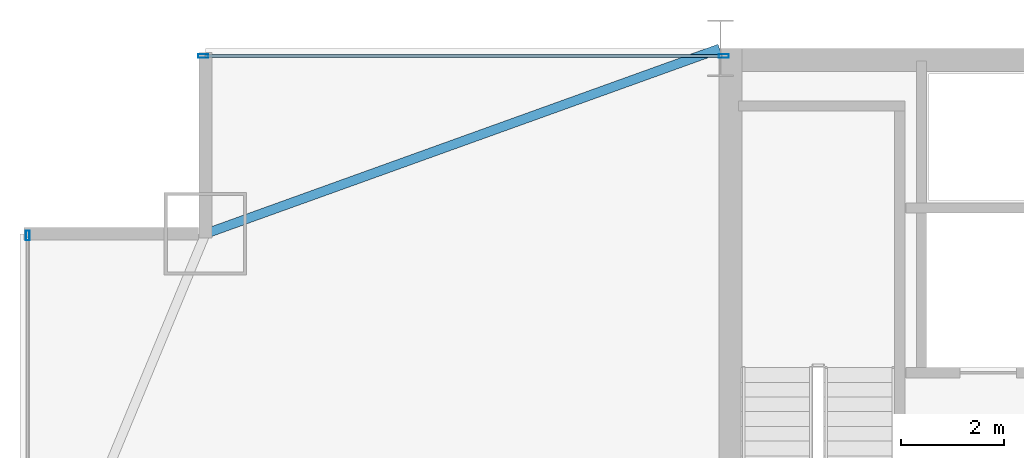
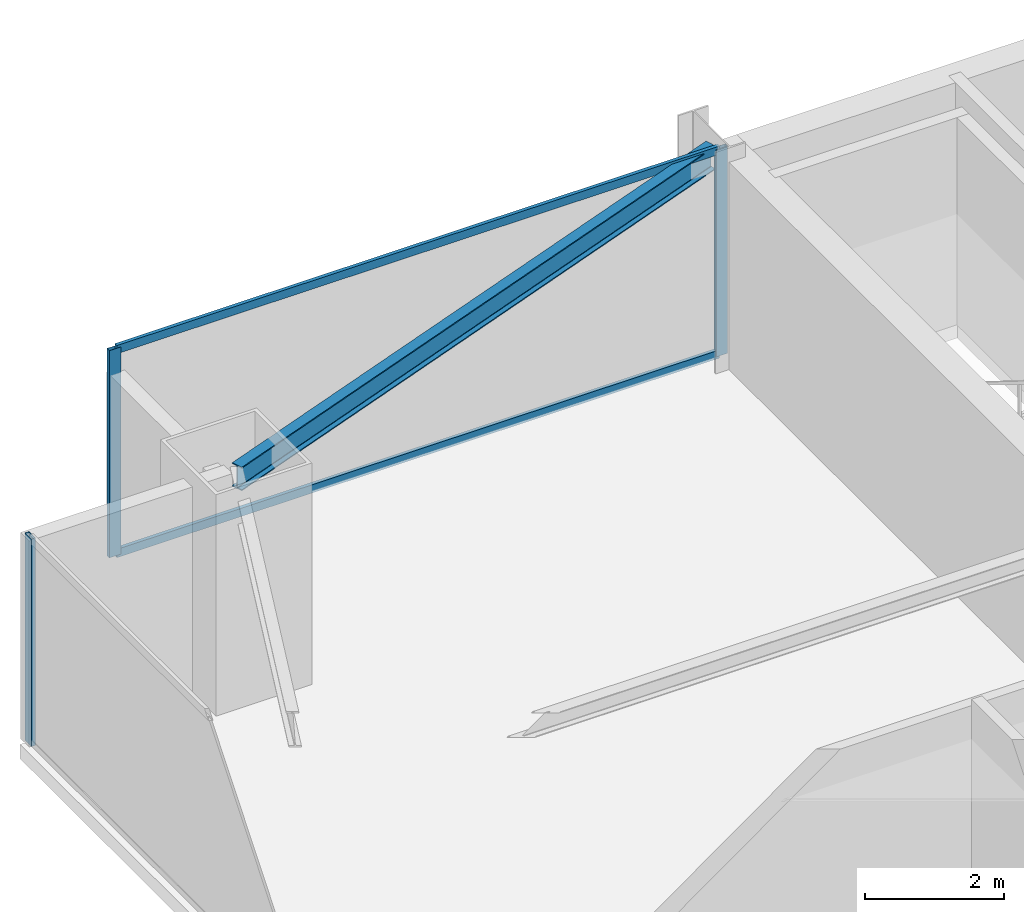
# One storey, part 21 of 32: 5 members, 1 beam, 2 elements without a shape of their own.
"""IFC4 building model written with IfcOpenShell, lengths in metres."""

from ifc_helpers import new_model, si_unit, direction, frame, origin, origin_2d, place, context, subcontext, project, spatial, hollow_rectangle, i_section, extrude, source, transform, mapped, material, layer, layer_set, material_profile, profile_set, type_object, type_shapes, element, aggregate, save


model = new_model("IFC4")

# Units and contexts
model_context = context("Model", 3, precision=1e-05, world=origin(), true_north=direction((0.0, 1.0)))
body_context = subcontext(model_context, "Body", "Model", "MODEL_VIEW")
ifc_project = project(units=[si_unit("LENGTHUNIT", "METRE"), si_unit("AREAUNIT", "SQUARE_METRE"), si_unit("VOLUMEUNIT", "CUBIC_METRE"), si_unit("PLANEANGLEUNIT", "RADIAN"), si_unit("MASSUNIT", "GRAM", prefix="KILO")], contexts=[model_context])

# Site, building, storey
site_placement = place(None, origin())
site = spatial("IfcSite", under=ifc_project, at=site_placement, CompositionType="ELEMENT")
building_placement = place(site_placement, origin())
building = spatial("IfcBuilding", under=site, at=building_placement, Name="Varnel Quay Broadcast Tower", CompositionType="ELEMENT")
storey_placement = place(building_placement, frame((0.0, 0.0, 58.800048828125)))
storey = spatial("IfcBuildingStorey", under=building, at=storey_placement, Name="L13", CompositionType="ELEMENT", Elevation=58.800048828125)

# Beam
ifc_material_1 = material(Name="Structural Steel CSA G40.21 350W", Category="steel")
ifc_material_profile_1 = material_profile(ifc_material_1, i_section(OverallWidth=0.180908203125, OverallDepth=0.4169921875, WebThickness=0.010986328125, FlangeThickness=0.018310546875, FilletRadius=0.011962890625, at=origin_2d()), Name="W410X85")
ifc_profile_set_1 = profile_set([ifc_material_profile_1], Name="Structural Steel CSA G40.21 350W")
beam_type = type_object("IfcBeamType", Name="Beam_W410X85", PredefinedType="SPANDREL", material=ifc_profile_set_1)
shared_shape_1 = source(origin(), body_context, "Body", "SweptSolid", [
    extrude(i_section(OverallWidth=0.180908203125, OverallDepth=0.4169921875, WebThickness=0.010986328125, FlangeThickness=0.018310546875, FilletRadius=0.011962890625, at=origin_2d()), origin(), (0.0, 0.0, 1.0), 10.58837890625),
])
type_shapes(beam_type, [shared_shape_1])
beam_placement = place(storey_placement, frame((5.618896484375, 43.206787109375, 3.44140625), z_axis=(0.940888587605, 0.338716202321, 0.0), x_axis=(-0.338716202321, 0.940888587605, 0.0)))
element("IfcBeam", 1, at=beam_placement, inside=storey, type_object=beam_type, Name="L13 NW Tie Spandrel", PredefinedType="SPANDREL", context=body_context, shape_type="MappedRepresentation", body=[
    mapped(shared_shape_1, transform((0.0, 0.0, 0.0), x_axis=(1.0, 0.0, 0.0), y_axis=(0.0, 1.0, 0.0), z_axis=(0.0, 0.0, 1.0), scale=1.0)),
])

# Curtain wall, member
ifc_material_2 = material(Name="Anodised Bronze Aluminium 6063-T6", Category="aluminium")
ifc_layer = layer(ifc_material_2, 0.18994140625, Name="Anodised Bronze Aluminium 6063-T6")
ifc_layer_set = layer_set([ifc_layer], Name="Anodised Bronze Aluminium 6063-T6")
curtain_wall_type = type_object("IfcCurtainWallType", Name="CW_LowerTower", PredefinedType="NOTDEFINED", material=ifc_layer_set)
curtain_wall_1_placement = place(storey_placement, origin())
curtain_wall_1 = element("IfcCurtainWall", 2, at=curtain_wall_1_placement, inside=storey, type_object=curtain_wall_type, Name="L13 West Unitised Curtain Wall", PredefinedType="NOTDEFINED")
ifc_material_profile_2 = material_profile(ifc_material_2, hollow_rectangle(XDim=0.070068359375, YDim=0.18994140625, WallThickness=0.00390625, at=origin_2d()), Name="ALU70X190X4")
ifc_profile_set_2 = profile_set([ifc_material_profile_2], Name="Anodised Bronze Aluminium 6063-T6")
member_type_1 = type_object("IfcMemberType", Name="Mull_CWS-02", PredefinedType="MULLION", material=ifc_profile_set_2)
shared_shape_2 = source(origin(), body_context, "Body", "SweptSolid", [
    extrude(hollow_rectangle(XDim=0.070068359375, YDim=0.18994140625, WallThickness=0.00390625, at=origin_2d()), origin(), (0.0, 0.0, 1.0), 3.64990234375),
])
type_shapes(member_type_1, [shared_shape_2])
member_1_placement = place(storey_placement, frame((2.14990234375, 43.1650390625, 0.0), z_axis=(0.0, 0.0, 1.0), x_axis=(-1.0, 0.0, 0.0)))
member_1 = element("IfcMember", 3, at=member_1_placement, type_object=member_type_1, Name="CWS-02 mullion 4", PredefinedType="MULLION", context=body_context, shape_type="MappedRepresentation", body=[
    mapped(shared_shape_2, transform((0.0, 0.0, 0.0), x_axis=(1.0, 0.0, 0.0), y_axis=(0.0, 1.0, 0.0), z_axis=(0.0, 0.0, 1.0), scale=1.0)),
])
aggregate(curtain_wall_1, [member_1])

# Curtain wall, members
curtain_wall_2_placement = place(storey_placement, origin())
curtain_wall_2 = element("IfcCurtainWall", 4, at=curtain_wall_2_placement, inside=storey, type_object=curtain_wall_type, Name="L13 NW Wing Curtain Wall", PredefinedType="NOTDEFINED")
member_2_placement = place(storey_placement, frame((5.554931640625, 46.64990234375, 0.0), z_axis=(0.0, 0.0, 1.0), x_axis=(0.0, 1.0, 0.0)))
member_2 = element("IfcMember", 5, at=member_2_placement, type_object=member_type_1, Name="CWS-02 mullion 1", PredefinedType="MULLION", context=body_context, shape_type="MappedRepresentation", body=[
    mapped(shared_shape_2, transform((0.0, 0.0, 0.0), x_axis=(1.0, 0.0, 0.0), y_axis=(0.0, 1.0, 0.0), z_axis=(0.0, 0.0, 1.0), scale=1.0)),
])
member_3_placement = place(storey_placement, frame((15.6650390625, 46.64990234375, 0.0), z_axis=(0.0, 0.0, 1.0), x_axis=(0.0, 1.0, 0.0)))
member_3 = element("IfcMember", 6, at=member_3_placement, type_object=member_type_1, Name="CWS-02 mullion 2", PredefinedType="MULLION", context=body_context, shape_type="MappedRepresentation", body=[
    mapped(shared_shape_2, transform((0.0, 0.0, 0.0), x_axis=(1.0, 0.0, 0.0), y_axis=(0.0, 1.0, 0.0), z_axis=(0.0, 0.0, 1.0), scale=1.0)),
])
ifc_material_profile_3 = material_profile(ifc_material_2, hollow_rectangle(XDim=0.06005859375, YDim=0.14501953125, WallThickness=0.00341796875, at=origin_2d()), Name="ALU60X145X3.5")
ifc_profile_set_3 = profile_set([ifc_material_profile_3], Name="Anodised Bronze Aluminium 6063-T6")
member_type_2 = type_object("IfcMemberType", Name="Tran_CWS-02", PredefinedType="USERDEFINED", material=ifc_profile_set_3)
shared_shape_3 = source(origin(), body_context, "Body", "SweptSolid", [
    extrude(hollow_rectangle(XDim=0.06005859375, YDim=0.14501953125, WallThickness=0.00341796875, at=origin_2d()), origin(), (0.0, 0.0, 1.0), 10.039794921875),
])
type_shapes(member_type_2, [shared_shape_3])
member_4_placement = place(storey_placement, frame((5.590087890625, 46.64990234375, 0.030029296875), z_axis=(1.0, 0.0, 0.0), x_axis=(0.0, 1.0, 0.0)))
member_4 = element("IfcMember", 7, at=member_4_placement, type_object=member_type_2, Name="CWS-02 transom 1.1", ObjectType="TRANSOM", PredefinedType="USERDEFINED", context=body_context, shape_type="MappedRepresentation", body=[
    mapped(shared_shape_3, transform((0.0, 0.0, 0.0), x_axis=(1.0, 0.0, 0.0), y_axis=(0.0, 1.0, 0.0), z_axis=(0.0, 0.0, 1.0), scale=1.0)),
])
member_5_placement = place(storey_placement, frame((5.590087890625, 46.64990234375, 3.619873046875), z_axis=(1.0, 0.0, 0.0), x_axis=(0.0, 1.0, 0.0)))
member_5 = element("IfcMember", 8, at=member_5_placement, type_object=member_type_2, Name="CWS-02 transom 1.2", ObjectType="TRANSOM", PredefinedType="USERDEFINED", context=body_context, shape_type="MappedRepresentation", body=[
    mapped(shared_shape_3, transform((0.0, 0.0, 0.0), x_axis=(1.0, 0.0, 0.0), y_axis=(0.0, 1.0, 0.0), z_axis=(0.0, 0.0, 1.0), scale=1.0)),
])
aggregate(curtain_wall_2, [member_2, member_3, member_4, member_5])

save(model, "model.ifc")
